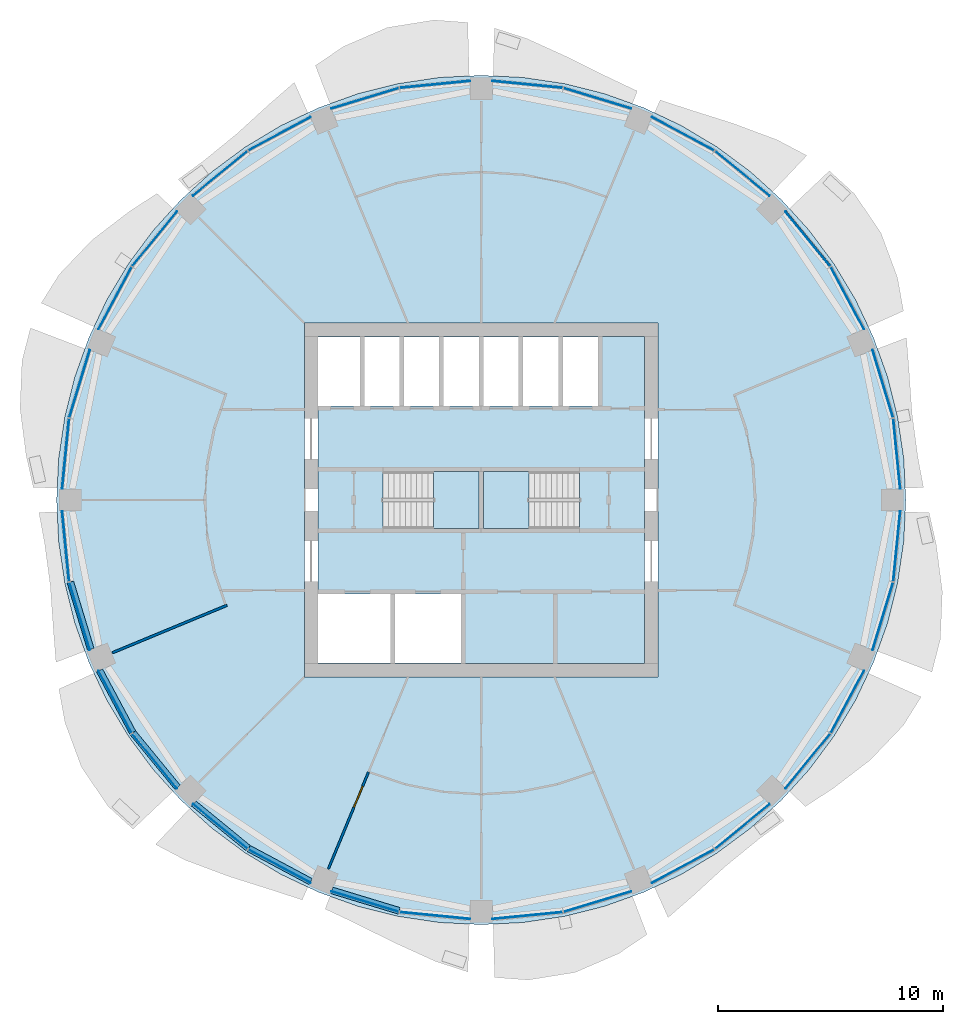
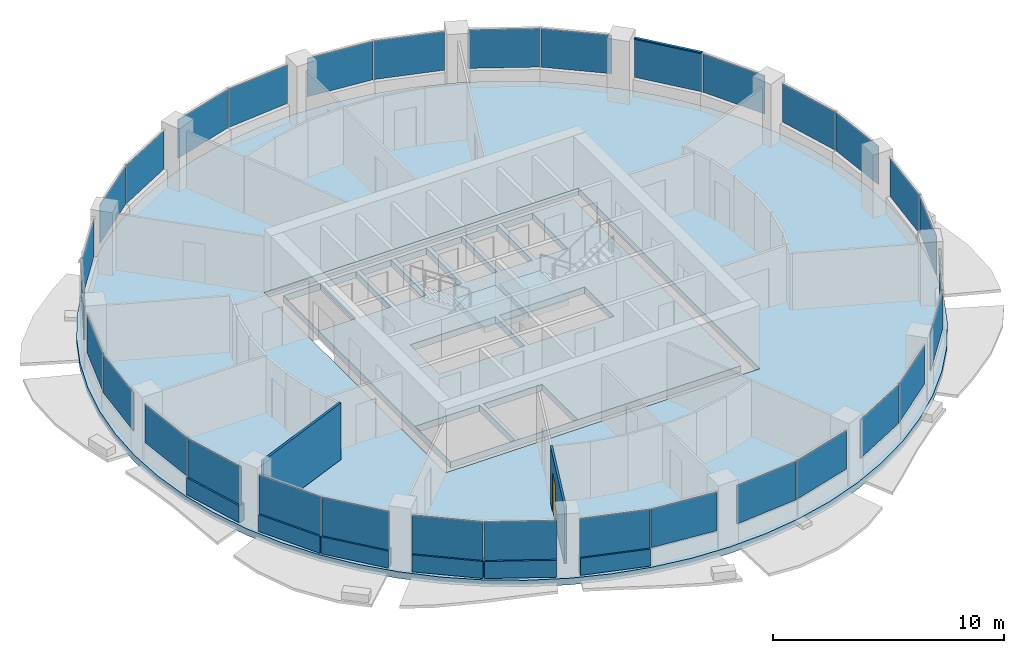
# One storey, part 7 of 14: 32 plates, 8 walls, 4 slabs, 1 door, 1 member, 1 opening, 18 elements without a shape of their own.
"""IFC4 building model written with IfcOpenShell, lengths in metres."""

from ifc_helpers import new_model, si_unit, direction, frame, frame_2d, origin, origin_2d, place, context, subcontext, project, spatial, polyline, rectangle, outline, extrude, material, layer, layer_set, material_profile, profile_set, type_object, element, fill, aggregate, save


model = new_model("IFC4")

# Units and contexts
model_context = context("Model", 3, precision=1e-05, world=origin(), true_north=direction((0.0, 1.0)))
body_context = subcontext(model_context, "Body", "Model", "MODEL_VIEW")
ifc_project = project(units=[si_unit("LENGTHUNIT", "METRE"), si_unit("AREAUNIT", "SQUARE_METRE"), si_unit("VOLUMEUNIT", "CUBIC_METRE"), si_unit("PLANEANGLEUNIT", "RADIAN"), si_unit("MASSUNIT", "GRAM", prefix="KILO")], contexts=[model_context])

# Site, building, storey
site_placement = place(None, origin())
site = spatial("IfcSite", under=ifc_project, at=site_placement, CompositionType="ELEMENT")
building_placement = place(site_placement, origin())
building = spatial("IfcBuilding", under=site, at=building_placement, Name="Polderwave Tower", CompositionType="ELEMENT")
storey_placement = place(building_placement, frame((0.0, 0.0, 147.75)))
storey = spatial("IfcBuildingStorey", under=building, at=storey_placement, Name="L39", CompositionType="ELEMENT", Elevation=147.75)

# Curtain wall, member
ifc_material_1 = material(Name="Aluminium 6063-T6 and glass", Category="aluminium")
curtain_wall_type = type_object("IfcCurtainWallType", Name="Office ribbon glazing wall", PredefinedType="NOTDEFINED", material=ifc_material_1)
curtain_wall_1_placement = place(storey_placement, origin())
curtain_wall_1 = element("IfcCurtainWall", 1, at=curtain_wall_1_placement, inside=storey, type_object=curtain_wall_type, Name="CW3 L39 01", PredefinedType="NOTDEFINED")
ifc_material_2 = material(Name="Aluminium 6063-T6", Category="aluminium")
ifc_material_profile = material_profile(ifc_material_2, rectangle(XDim=0.1201171875, YDim=0.06005859375, at=origin_2d()), Name="AL 60x120")
ifc_profile_set = profile_set([ifc_material_profile], Name="Aluminium 6063-T6")
member_type = type_object("IfcMemberType", Name="Office ribbon glazing transom 60x120", PredefinedType="USERDEFINED", material=ifc_profile_set)
member_placement = place(storey_placement, frame((15.530517578125, 10.410400390625, 2.969970703125), z_axis=(-0.634153141657, 0.773207470816, 0.0), x_axis=(-0.773207470816, -0.634153141657, 0.0)))
member = element("IfcMember", 2, at=member_placement, type_object=member_type, Name="CW3 transom 2", ObjectType="TRANSOM", PredefinedType="USERDEFINED", context=body_context, shape_type="SweptSolid", body=[
    extrude(rectangle(XDim=0.1201171875, YDim=0.06005859375, at=origin_2d()), origin(), (0.0, 0.0, 1.0), 3.1357421875),
])

# Slab
ifc_material_3 = material(Name="Concrete C40/50", Category="concrete")
ifc_layer_1 = layer(ifc_material_3, 0.35009765625)
ifc_layer_set_1 = layer_set([ifc_layer_1], Name="Core floor slab 350")
slab_type_1 = type_object("IfcSlabType", Name="Core floor slab 350", PredefinedType="FLOOR", material=ifc_layer_set_1)
slab_1_placement = place(storey_placement, frame((0.0, 0.0, -0.35009765625)))
element("IfcSlab", 3, at=slab_1_placement, inside=storey, type_object=slab_type_1, Name="L39 core floor", PredefinedType="FLOOR", context=body_context, shape_type="SweptSolid", body=[
    extrude(outline(polyline([(-7.27392578125, -7.27392578125), (7.27392578125, -7.27392578125), (7.27392578125, 7.27392578125), (-7.27392578125, 7.27392578125), (-7.27392578125, -7.27392578125)]), holes=[polyline([(-7.25390625, -7.25390625), (-4.037109375, -7.25390625), (-4.037109375, -4.174072265625), (-7.25390625, -4.174072265625), (-7.25390625, -7.25390625)]), polyline([(-3.8369140625, -7.25390625), (-0.89990234375, -7.25390625), (-0.89990234375, -4.174072265625), (-3.8369140625, -4.174072265625), (-3.8369140625, -7.25390625)]), polyline([(-7.25390625, 4.174072265625), (-5.405517578125, 4.174072265625), (-5.405517578125, 7.25390625), (-7.25390625, 7.25390625), (-7.25390625, 4.174072265625)]), polyline([(-5.20556640625, 4.174072265625), (-3.636962890625, 4.174072265625), (-3.636962890625, 7.25390625), (-5.20556640625, 7.25390625), (-5.20556640625, 4.174072265625)]), polyline([(-3.43701171875, 4.174072265625), (-1.868408203125, 4.174072265625), (-1.868408203125, 7.25390625), (-3.43701171875, 7.25390625), (-3.43701171875, 4.174072265625)]), polyline([(-1.66845703125, 4.174072265625), (-0.10009765625, 4.174072265625), (-0.10009765625, 7.25390625), (-1.66845703125, 7.25390625), (-1.66845703125, 4.174072265625)]), polyline([(0.10009765625, 4.174072265625), (1.66845703125, 4.174072265625), (1.66845703125, 7.25390625), (0.10009765625, 7.25390625), (0.10009765625, 4.174072265625)]), polyline([(1.868408203125, 4.174072265625), (3.43701171875, 4.174072265625), (3.43701171875, 7.25390625), (1.868408203125, 7.25390625), (1.868408203125, 4.174072265625)]), polyline([(3.636962890625, 4.174072265625), (5.20556640625, 4.174072265625), (5.20556640625, 7.25390625), (3.636962890625, 7.25390625), (3.636962890625, 4.174072265625)]), polyline([(-4.37353515625, -1.2744140625), (-0.1005859375, -1.2744140625), (-0.1005859375, 1.2744140625), (-4.37353515625, 1.2744140625), (-4.37353515625, -1.2744140625)]), polyline([(0.1005859375, -1.2744140625), (4.37353515625, -1.2744140625), (4.37353515625, 1.2744140625), (0.1005859375, 1.2744140625), (0.1005859375, -1.2744140625)])]), origin(), (0.0, 0.0, 1.0), 0.35009765625),
])

# Curtain wall, plates
curtain_wall_2_placement = place(storey_placement, origin())
curtain_wall_2 = element("IfcCurtainWall", 4, at=curtain_wall_2_placement, inside=storey, type_object=curtain_wall_type, Name="CW3 L39 00", PredefinedType="NOTDEFINED")
ifc_material_4 = material(Name="Glass, low-e laminated double glazing", Category="glass")
ifc_layer_2 = layer(ifc_material_4, 0.031982421875)
ifc_layer_set_2 = layer_set([ifc_layer_2], Name="Office ribbon glazing glass panel 32 mm")
plate_type = type_object("IfcPlateType", Name="Office ribbon glazing glass panel 32 mm", PredefinedType="CURTAIN_PANEL", material=ifc_layer_set_2)
plate_1_placement = place(storey_placement, frame((18.497314453125, 2.060302734375, 0.89990234375), z_axis=(0.0, 0.0, 1.0), x_axis=(-0.098001507992, 0.995186266199, 0.0)))
plate_1 = element("IfcPlate", 5, at=plate_1_placement, type_object=plate_type, Name="CW3 panel 1", PredefinedType="CURTAIN_PANEL", context=body_context, shape_type="SweptSolid", body=[
    extrude(rectangle(XDim=3.1357421875, YDim=0.031982421875, at=origin_2d()), origin(), (0.0, 0.0, 1.0), 2.0400390625),
])
plate_2_placement = place(storey_placement, frame((17.87744140625, 5.1748046875, 0.89990234375), z_axis=(0.0, 0.0, 1.0), x_axis=(-0.290506802834, 0.95687292652, 0.0)))
plate_2 = element("IfcPlate", 6, at=plate_2_placement, type_object=plate_type, Name="CW3 panel 2", PredefinedType="CURTAIN_PANEL", context=body_context, shape_type="SweptSolid", body=[
    extrude(rectangle(XDim=3.135986328125, YDim=0.031982421875, at=origin_2d()), origin(), (0.0, 0.0, 1.0), 2.0400390625),
])
aggregate(curtain_wall_2, [plate_1, plate_2])

# Plate
plate_3_placement = place(storey_placement, frame((16.300537109375, 8.98193359375, 0.89990234375), z_axis=(0.0, 0.0, 1.0), x_axis=(-0.471572201194, 0.881827454246, 0.0)))
plate_3 = element("IfcPlate", 7, at=plate_3_placement, type_object=plate_type, Name="CW3 panel 1", PredefinedType="CURTAIN_PANEL", context=body_context, shape_type="SweptSolid", body=[
    extrude(rectangle(XDim=3.136474609375, YDim=0.031982421875, at=origin_2d()), origin(), (0.0, 0.0, 1.0), 2.0400390625),
])

plate_4_placement = place(storey_placement, frame((14.536376953125, 11.62255859375, 0.89990234375), z_axis=(0.0, 0.0, 1.0), x_axis=(-0.63413286073, 0.773224103958, 0.0)))
plate_4 = element("IfcPlate", 8, at=plate_4_placement, type_object=plate_type, Name="CW3 panel 2", PredefinedType="CURTAIN_PANEL", context=body_context, shape_type="SweptSolid", body=[
    extrude(rectangle(XDim=3.135986328125, YDim=0.031982421875, at=origin_2d()), origin(), (0.0, 0.0, 1.0), 2.0400390625),
])

aggregate(curtain_wall_1, [member, plate_3, plate_4])

# Curtain wall, plates
curtain_wall_3_placement = place(storey_placement, origin())
curtain_wall_3 = element("IfcCurtainWall", 9, at=curtain_wall_3_placement, inside=storey, type_object=curtain_wall_type, Name="CW3 L39 02", PredefinedType="NOTDEFINED")
plate_5_placement = place(storey_placement, frame((11.62255859375, 14.536376953125, 0.89990234375), z_axis=(0.0, 0.0, 1.0), x_axis=(-0.773224103958, 0.63413286073, 0.0)))
plate_5 = element("IfcPlate", 10, at=plate_5_placement, type_object=plate_type, Name="CW3 panel 1", PredefinedType="CURTAIN_PANEL", context=body_context, shape_type="SweptSolid", body=[
    extrude(rectangle(XDim=3.135986328125, YDim=0.031982421875, at=origin_2d()), origin(), (0.0, 0.0, 1.0), 2.0400390625),
])
plate_6_placement = place(storey_placement, frame((8.98193359375, 16.300537109375, 0.89990234375), z_axis=(0.0, 0.0, 1.0), x_axis=(-0.881827454246, 0.471572201194, 0.0)))
plate_6 = element("IfcPlate", 11, at=plate_6_placement, type_object=plate_type, Name="CW3 panel 2", PredefinedType="CURTAIN_PANEL", context=body_context, shape_type="SweptSolid", body=[
    extrude(rectangle(XDim=3.136474609375, YDim=0.031982421875, at=origin_2d()), origin(), (0.0, 0.0, 1.0), 2.0400390625),
])
aggregate(curtain_wall_3, [plate_5, plate_6])

curtain_wall_4_placement = place(storey_placement, origin())
curtain_wall_4 = element("IfcCurtainWall", 12, at=curtain_wall_4_placement, inside=storey, type_object=curtain_wall_type, Name="CW3 L39 03", PredefinedType="NOTDEFINED")
plate_7_placement = place(storey_placement, frame((5.1748046875, 17.87744140625, 0.89990234375), z_axis=(0.0, 0.0, 1.0), x_axis=(-0.95687292652, 0.290506802834, 0.0)))
plate_7 = element("IfcPlate", 13, at=plate_7_placement, type_object=plate_type, Name="CW3 panel 1", PredefinedType="CURTAIN_PANEL", context=body_context, shape_type="SweptSolid", body=[
    extrude(rectangle(XDim=3.135986328125, YDim=0.031982421875, at=origin_2d()), origin(), (0.0, 0.0, 1.0), 2.0400390625),
])
plate_8_placement = place(storey_placement, frame((2.060302734375, 18.497314453125, 0.89990234375), z_axis=(0.0, 0.0, 1.0), x_axis=(-0.995186266199, 0.098001507992, 0.0)))
plate_8 = element("IfcPlate", 14, at=plate_8_placement, type_object=plate_type, Name="CW3 panel 2", PredefinedType="CURTAIN_PANEL", context=body_context, shape_type="SweptSolid", body=[
    extrude(rectangle(XDim=3.1357421875, YDim=0.031982421875, at=origin_2d()), origin(), (0.0, 0.0, 1.0), 2.0400390625),
])
aggregate(curtain_wall_4, [plate_7, plate_8])

curtain_wall_5_placement = place(storey_placement, origin())
curtain_wall_5 = element("IfcCurtainWall", 15, at=curtain_wall_5_placement, inside=storey, type_object=curtain_wall_type, Name="CW3 L39 04", PredefinedType="NOTDEFINED")
plate_9_placement = place(storey_placement, frame((-2.060302734375, 18.497314453125, 0.89990234375), z_axis=(0.0, 0.0, 1.0), x_axis=(-0.995186266199, -0.098001507992, 0.0)))
plate_9 = element("IfcPlate", 16, at=plate_9_placement, type_object=plate_type, Name="CW3 panel 1", PredefinedType="CURTAIN_PANEL", context=body_context, shape_type="SweptSolid", body=[
    extrude(rectangle(XDim=3.1357421875, YDim=0.031982421875, at=origin_2d()), origin(), (0.0, 0.0, 1.0), 2.0400390625),
])
plate_10_placement = place(storey_placement, frame((-5.1748046875, 17.87744140625, 0.89990234375), z_axis=(0.0, 0.0, 1.0), x_axis=(-0.95687292652, -0.290506802834, 0.0)))
plate_10 = element("IfcPlate", 17, at=plate_10_placement, type_object=plate_type, Name="CW3 panel 2", PredefinedType="CURTAIN_PANEL", context=body_context, shape_type="SweptSolid", body=[
    extrude(rectangle(XDim=3.135986328125, YDim=0.031982421875, at=origin_2d()), origin(), (0.0, 0.0, 1.0), 2.0400390625),
])
aggregate(curtain_wall_5, [plate_9, plate_10])

curtain_wall_6_placement = place(storey_placement, origin())
curtain_wall_6 = element("IfcCurtainWall", 18, at=curtain_wall_6_placement, inside=storey, type_object=curtain_wall_type, Name="CW3 L39 05", PredefinedType="NOTDEFINED")
plate_11_placement = place(storey_placement, frame((-8.98193359375, 16.300537109375, 0.89990234375), z_axis=(0.0, 0.0, 1.0), x_axis=(-0.881827454246, -0.471572201194, 0.0)))
plate_11 = element("IfcPlate", 19, at=plate_11_placement, type_object=plate_type, Name="CW3 panel 1", PredefinedType="CURTAIN_PANEL", context=body_context, shape_type="SweptSolid", body=[
    extrude(rectangle(XDim=3.136474609375, YDim=0.031982421875, at=origin_2d()), origin(), (0.0, 0.0, 1.0), 2.0400390625),
])
plate_12_placement = place(storey_placement, frame((-11.62255859375, 14.536376953125, 0.89990234375), z_axis=(0.0, 0.0, 1.0), x_axis=(-0.773224103958, -0.63413286073, 0.0)))
plate_12 = element("IfcPlate", 20, at=plate_12_placement, type_object=plate_type, Name="CW3 panel 2", PredefinedType="CURTAIN_PANEL", context=body_context, shape_type="SweptSolid", body=[
    extrude(rectangle(XDim=3.135986328125, YDim=0.031982421875, at=origin_2d()), origin(), (0.0, 0.0, 1.0), 2.0400390625),
])
aggregate(curtain_wall_6, [plate_11, plate_12])

curtain_wall_7_placement = place(storey_placement, origin())
curtain_wall_7 = element("IfcCurtainWall", 21, at=curtain_wall_7_placement, inside=storey, type_object=curtain_wall_type, Name="CW3 L39 06", PredefinedType="NOTDEFINED")
plate_13_placement = place(storey_placement, frame((-14.536376953125, 11.62255859375, 0.89990234375), z_axis=(0.0, 0.0, 1.0), x_axis=(-0.63413286073, -0.773224103958, 0.0)))
plate_13 = element("IfcPlate", 22, at=plate_13_placement, type_object=plate_type, Name="CW3 panel 1", PredefinedType="CURTAIN_PANEL", context=body_context, shape_type="SweptSolid", body=[
    extrude(rectangle(XDim=3.135986328125, YDim=0.031982421875, at=origin_2d()), origin(), (0.0, 0.0, 1.0), 2.0400390625),
])
plate_14_placement = place(storey_placement, frame((-16.300537109375, 8.98193359375, 0.89990234375), z_axis=(0.0, 0.0, 1.0), x_axis=(-0.471572201194, -0.881827454246, 0.0)))
plate_14 = element("IfcPlate", 23, at=plate_14_placement, type_object=plate_type, Name="CW3 panel 2", PredefinedType="CURTAIN_PANEL", context=body_context, shape_type="SweptSolid", body=[
    extrude(rectangle(XDim=3.136474609375, YDim=0.031982421875, at=origin_2d()), origin(), (0.0, 0.0, 1.0), 2.0400390625),
])
aggregate(curtain_wall_7, [plate_13, plate_14])

curtain_wall_8_placement = place(storey_placement, origin())
curtain_wall_8 = element("IfcCurtainWall", 24, at=curtain_wall_8_placement, inside=storey, type_object=curtain_wall_type, Name="CW3 L39 07", PredefinedType="NOTDEFINED")
plate_15_placement = place(storey_placement, frame((-17.87744140625, 5.1748046875, 0.89990234375), z_axis=(0.0, 0.0, 1.0), x_axis=(-0.290506802834, -0.95687292652, 0.0)))
plate_15 = element("IfcPlate", 25, at=plate_15_placement, type_object=plate_type, Name="CW3 panel 1", PredefinedType="CURTAIN_PANEL", context=body_context, shape_type="SweptSolid", body=[
    extrude(rectangle(XDim=3.135986328125, YDim=0.031982421875, at=origin_2d()), origin(), (0.0, 0.0, 1.0), 2.0400390625),
])
plate_16_placement = place(storey_placement, frame((-18.497314453125, 2.060302734375, 0.89990234375), z_axis=(0.0, 0.0, 1.0), x_axis=(-0.098001507992, -0.995186266199, 0.0)))
plate_16 = element("IfcPlate", 26, at=plate_16_placement, type_object=plate_type, Name="CW3 panel 2", PredefinedType="CURTAIN_PANEL", context=body_context, shape_type="SweptSolid", body=[
    extrude(rectangle(XDim=3.1357421875, YDim=0.031982421875, at=origin_2d()), origin(), (0.0, 0.0, 1.0), 2.0400390625),
])
aggregate(curtain_wall_8, [plate_15, plate_16])

curtain_wall_9_placement = place(storey_placement, origin())
curtain_wall_9 = element("IfcCurtainWall", 27, at=curtain_wall_9_placement, inside=storey, type_object=curtain_wall_type, Name="CW3 L39 08", PredefinedType="NOTDEFINED")
plate_17_placement = place(storey_placement, frame((-18.497314453125, -2.060302734375, 0.89990234375), z_axis=(0.0, 0.0, 1.0), x_axis=(0.098001507992, -0.995186266199, 0.0)))
plate_17 = element("IfcPlate", 28, at=plate_17_placement, type_object=plate_type, Name="CW3 panel 1", PredefinedType="CURTAIN_PANEL", context=body_context, shape_type="SweptSolid", body=[
    extrude(rectangle(XDim=3.1357421875, YDim=0.031982421875, at=origin_2d()), origin(), (0.0, 0.0, 1.0), 2.0400390625),
])
plate_18_placement = place(storey_placement, frame((-17.87744140625, -5.1748046875, 0.89990234375), z_axis=(0.0, 0.0, 1.0), x_axis=(0.290506802834, -0.95687292652, 0.0)))
plate_18 = element("IfcPlate", 29, at=plate_18_placement, type_object=plate_type, Name="CW3 panel 2", PredefinedType="CURTAIN_PANEL", context=body_context, shape_type="SweptSolid", body=[
    extrude(rectangle(XDim=3.135986328125, YDim=0.031982421875, at=origin_2d()), origin(), (0.0, 0.0, 1.0), 2.0400390625),
])
aggregate(curtain_wall_9, [plate_17, plate_18])

curtain_wall_10_placement = place(storey_placement, origin())
curtain_wall_10 = element("IfcCurtainWall", 30, at=curtain_wall_10_placement, inside=storey, type_object=curtain_wall_type, Name="CW3 L39 09", PredefinedType="NOTDEFINED")
plate_19_placement = place(storey_placement, frame((-16.300537109375, -8.98193359375, 0.89990234375), z_axis=(0.0, 0.0, 1.0), x_axis=(0.471572201194, -0.881827454246, 0.0)))
plate_19 = element("IfcPlate", 31, at=plate_19_placement, type_object=plate_type, Name="CW3 panel 1", PredefinedType="CURTAIN_PANEL", context=body_context, shape_type="SweptSolid", body=[
    extrude(rectangle(XDim=3.136474609375, YDim=0.031982421875, at=origin_2d()), origin(), (0.0, 0.0, 1.0), 2.0400390625),
])
plate_20_placement = place(storey_placement, frame((-14.536376953125, -11.62255859375, 0.89990234375), z_axis=(0.0, 0.0, 1.0), x_axis=(0.63413286073, -0.773224103958, 0.0)))
plate_20 = element("IfcPlate", 32, at=plate_20_placement, type_object=plate_type, Name="CW3 panel 2", PredefinedType="CURTAIN_PANEL", context=body_context, shape_type="SweptSolid", body=[
    extrude(rectangle(XDim=3.135986328125, YDim=0.031982421875, at=origin_2d()), origin(), (0.0, 0.0, 1.0), 2.0400390625),
])
aggregate(curtain_wall_10, [plate_19, plate_20])

curtain_wall_11_placement = place(storey_placement, origin())
curtain_wall_11 = element("IfcCurtainWall", 33, at=curtain_wall_11_placement, inside=storey, type_object=curtain_wall_type, Name="CW3 L39 10", PredefinedType="NOTDEFINED")
plate_21_placement = place(storey_placement, frame((-11.62255859375, -14.536376953125, 0.89990234375), z_axis=(0.0, 0.0, 1.0), x_axis=(0.773224103958, -0.63413286073, 0.0)))
plate_21 = element("IfcPlate", 34, at=plate_21_placement, type_object=plate_type, Name="CW3 panel 1", PredefinedType="CURTAIN_PANEL", context=body_context, shape_type="SweptSolid", body=[
    extrude(rectangle(XDim=3.135986328125, YDim=0.031982421875, at=origin_2d()), origin(), (0.0, 0.0, 1.0), 2.0400390625),
])
plate_22_placement = place(storey_placement, frame((-8.98193359375, -16.300537109375, 0.89990234375), z_axis=(0.0, 0.0, 1.0), x_axis=(0.881827454246, -0.471572201194, 0.0)))
plate_22 = element("IfcPlate", 35, at=plate_22_placement, type_object=plate_type, Name="CW3 panel 2", PredefinedType="CURTAIN_PANEL", context=body_context, shape_type="SweptSolid", body=[
    extrude(rectangle(XDim=3.136474609375, YDim=0.031982421875, at=origin_2d()), origin(), (0.0, 0.0, 1.0), 2.0400390625),
])
aggregate(curtain_wall_11, [plate_21, plate_22])

curtain_wall_12_placement = place(storey_placement, origin())
curtain_wall_12 = element("IfcCurtainWall", 36, at=curtain_wall_12_placement, inside=storey, type_object=curtain_wall_type, Name="CW3 L39 11", PredefinedType="NOTDEFINED")
plate_23_placement = place(storey_placement, frame((-5.1748046875, -17.87744140625, 0.89990234375), z_axis=(0.0, 0.0, 1.0), x_axis=(0.95687292652, -0.290506802834, 0.0)))
plate_23 = element("IfcPlate", 37, at=plate_23_placement, type_object=plate_type, Name="CW3 panel 1", PredefinedType="CURTAIN_PANEL", context=body_context, shape_type="SweptSolid", body=[
    extrude(rectangle(XDim=3.135986328125, YDim=0.031982421875, at=origin_2d()), origin(), (0.0, 0.0, 1.0), 2.0400390625),
])
plate_24_placement = place(storey_placement, frame((-2.060302734375, -18.497314453125, 0.89990234375), z_axis=(0.0, 0.0, 1.0), x_axis=(0.995186266199, -0.098001507992, 0.0)))
plate_24 = element("IfcPlate", 38, at=plate_24_placement, type_object=plate_type, Name="CW3 panel 2", PredefinedType="CURTAIN_PANEL", context=body_context, shape_type="SweptSolid", body=[
    extrude(rectangle(XDim=3.1357421875, YDim=0.031982421875, at=origin_2d()), origin(), (0.0, 0.0, 1.0), 2.0400390625),
])
aggregate(curtain_wall_12, [plate_23, plate_24])

curtain_wall_13_placement = place(storey_placement, origin())
curtain_wall_13 = element("IfcCurtainWall", 39, at=curtain_wall_13_placement, inside=storey, type_object=curtain_wall_type, Name="CW3 L39 12", PredefinedType="NOTDEFINED")
plate_25_placement = place(storey_placement, frame((2.060302734375, -18.497314453125, 0.89990234375), z_axis=(0.0, 0.0, 1.0), x_axis=(0.995186266199, 0.098001507992, 0.0)))
plate_25 = element("IfcPlate", 40, at=plate_25_placement, type_object=plate_type, Name="CW3 panel 1", PredefinedType="CURTAIN_PANEL", context=body_context, shape_type="SweptSolid", body=[
    extrude(rectangle(XDim=3.1357421875, YDim=0.031982421875, at=origin_2d()), origin(), (0.0, 0.0, 1.0), 2.0400390625),
])
plate_26_placement = place(storey_placement, frame((5.1748046875, -17.87744140625, 0.89990234375), z_axis=(0.0, 0.0, 1.0), x_axis=(0.95687292652, 0.290506802834, 0.0)))
plate_26 = element("IfcPlate", 41, at=plate_26_placement, type_object=plate_type, Name="CW3 panel 2", PredefinedType="CURTAIN_PANEL", context=body_context, shape_type="SweptSolid", body=[
    extrude(rectangle(XDim=3.135986328125, YDim=0.031982421875, at=origin_2d()), origin(), (0.0, 0.0, 1.0), 2.0400390625),
])
aggregate(curtain_wall_13, [plate_25, plate_26])

curtain_wall_14_placement = place(storey_placement, origin())
curtain_wall_14 = element("IfcCurtainWall", 42, at=curtain_wall_14_placement, inside=storey, type_object=curtain_wall_type, Name="CW3 L39 13", PredefinedType="NOTDEFINED")
plate_27_placement = place(storey_placement, frame((8.98193359375, -16.300537109375, 0.89990234375), z_axis=(0.0, 0.0, 1.0), x_axis=(0.881827454246, 0.471572201194, 0.0)))
plate_27 = element("IfcPlate", 43, at=plate_27_placement, type_object=plate_type, Name="CW3 panel 1", PredefinedType="CURTAIN_PANEL", context=body_context, shape_type="SweptSolid", body=[
    extrude(rectangle(XDim=3.136474609375, YDim=0.031982421875, at=origin_2d()), origin(), (0.0, 0.0, 1.0), 2.0400390625),
])
plate_28_placement = place(storey_placement, frame((11.62255859375, -14.536376953125, 0.89990234375), z_axis=(0.0, 0.0, 1.0), x_axis=(0.773224103958, 0.63413286073, 0.0)))
plate_28 = element("IfcPlate", 44, at=plate_28_placement, type_object=plate_type, Name="CW3 panel 2", PredefinedType="CURTAIN_PANEL", context=body_context, shape_type="SweptSolid", body=[
    extrude(rectangle(XDim=3.135986328125, YDim=0.031982421875, at=origin_2d()), origin(), (0.0, 0.0, 1.0), 2.0400390625),
])
aggregate(curtain_wall_14, [plate_27, plate_28])

curtain_wall_15_placement = place(storey_placement, origin())
curtain_wall_15 = element("IfcCurtainWall", 45, at=curtain_wall_15_placement, inside=storey, type_object=curtain_wall_type, Name="CW3 L39 14", PredefinedType="NOTDEFINED")
plate_29_placement = place(storey_placement, frame((14.536376953125, -11.62255859375, 0.89990234375), z_axis=(0.0, 0.0, 1.0), x_axis=(0.63413286073, 0.773224103958, 0.0)))
plate_29 = element("IfcPlate", 46, at=plate_29_placement, type_object=plate_type, Name="CW3 panel 1", PredefinedType="CURTAIN_PANEL", context=body_context, shape_type="SweptSolid", body=[
    extrude(rectangle(XDim=3.135986328125, YDim=0.031982421875, at=origin_2d()), origin(), (0.0, 0.0, 1.0), 2.0400390625),
])
plate_30_placement = place(storey_placement, frame((16.300537109375, -8.98193359375, 0.89990234375), z_axis=(0.0, 0.0, 1.0), x_axis=(0.471572201194, 0.881827454246, 0.0)))
plate_30 = element("IfcPlate", 47, at=plate_30_placement, type_object=plate_type, Name="CW3 panel 2", PredefinedType="CURTAIN_PANEL", context=body_context, shape_type="SweptSolid", body=[
    extrude(rectangle(XDim=3.136474609375, YDim=0.031982421875, at=origin_2d()), origin(), (0.0, 0.0, 1.0), 2.0400390625),
])
aggregate(curtain_wall_15, [plate_29, plate_30])

curtain_wall_16_placement = place(storey_placement, origin())
curtain_wall_16 = element("IfcCurtainWall", 48, at=curtain_wall_16_placement, inside=storey, type_object=curtain_wall_type, Name="CW3 L39 15", PredefinedType="NOTDEFINED")
plate_31_placement = place(storey_placement, frame((17.87744140625, -5.1748046875, 0.89990234375), z_axis=(0.0, 0.0, 1.0), x_axis=(0.290506802834, 0.95687292652, 0.0)))
plate_31 = element("IfcPlate", 49, at=plate_31_placement, type_object=plate_type, Name="CW3 panel 1", PredefinedType="CURTAIN_PANEL", context=body_context, shape_type="SweptSolid", body=[
    extrude(rectangle(XDim=3.135986328125, YDim=0.031982421875, at=origin_2d()), origin(), (0.0, 0.0, 1.0), 2.0400390625),
])
plate_32_placement = place(storey_placement, frame((18.497314453125, -2.060302734375, 0.89990234375), z_axis=(0.0, 0.0, 1.0), x_axis=(0.098001507992, 0.995186266199, 0.0)))
plate_32 = element("IfcPlate", 50, at=plate_32_placement, type_object=plate_type, Name="CW3 panel 2", PredefinedType="CURTAIN_PANEL", context=body_context, shape_type="SweptSolid", body=[
    extrude(rectangle(XDim=3.1357421875, YDim=0.031982421875, at=origin_2d()), origin(), (0.0, 0.0, 1.0), 2.0400390625),
])
aggregate(curtain_wall_16, [plate_31, plate_32])

# Slab
ifc_layer_3 = layer(ifc_material_3, 0.35009765625)
ifc_layer_set_3 = layer_set([ifc_layer_3], Name="PT FLOOR SLAB 350 C40/50")
slab_type_2 = type_object("IfcSlabType", Name="PT FLOOR SLAB 350 C40/50", PredefinedType="FLOOR", material=ifc_layer_set_3)
slab_2_placement = place(storey_placement, frame((0.0, 0.0, -0.35009765625)))
element("IfcSlab", 51, at=slab_2_placement, inside=storey, type_object=slab_type_2, Name="ST-SLAB-L39", PredefinedType="FLOOR", context=body_context, shape_type="SweptSolid", body=[
    extrude(outline(polyline([(18.89990234375, 0.0), (18.80908203125, 1.8525390625), (18.536865234375, 3.687255859375), (18.086181640625, 5.486328125), (17.461181640625, 7.232666015625), (16.668212890625, 8.909423828125), (15.71484375, 10.500244140625), (14.60986328125, 11.989990234375), (13.3642578125, 13.3642578125), (11.989990234375, 14.60986328125), (10.500244140625, 15.71484375), (8.909423828125, 16.668212890625), (7.232666015625, 17.461181640625), (5.486328125, 18.086181640625), (3.687255859375, 18.536865234375), (1.8525390625, 18.80908203125), (0.0, 18.89990234375), (-1.8525390625, 18.80908203125), (-3.687255859375, 18.536865234375), (-5.486328125, 18.086181640625), (-7.232666015625, 17.461181640625), (-8.909423828125, 16.668212890625), (-10.500244140625, 15.71484375), (-11.989990234375, 14.60986328125), (-13.3642578125, 13.3642578125), (-14.60986328125, 11.989990234375), (-15.71484375, 10.500244140625), (-16.668212890625, 8.909423828125), (-17.461181640625, 7.232666015625), (-18.086181640625, 5.486328125), (-18.536865234375, 3.687255859375), (-18.80908203125, 1.8525390625), (-18.89990234375, 0.0), (-18.80908203125, -1.8525390625), (-18.536865234375, -3.687255859375), (-18.086181640625, -5.486328125), (-17.461181640625, -7.232666015625), (-16.668212890625, -8.909423828125), (-15.71484375, -10.500244140625), (-14.60986328125, -11.989990234375), (-13.3642578125, -13.3642578125), (-11.989990234375, -14.60986328125), (-10.500244140625, -15.71484375), (-8.909423828125, -16.668212890625), (-7.232666015625, -17.461181640625), (-5.486328125, -18.086181640625), (-3.687255859375, -18.536865234375), (-1.8525390625, -18.80908203125), (0.0, -18.89990234375), (1.8525390625, -18.80908203125), (3.687255859375, -18.536865234375), (5.486328125, -18.086181640625), (7.232666015625, -17.461181640625), (8.909423828125, -16.668212890625), (10.500244140625, -15.71484375), (11.989990234375, -14.60986328125), (13.3642578125, -13.3642578125), (14.60986328125, -11.989990234375), (15.71484375, -10.500244140625), (16.668212890625, -8.909423828125), (17.461181640625, -7.232666015625), (18.086181640625, -5.486328125), (18.536865234375, -3.687255859375), (18.80908203125, -1.8525390625), (18.89990234375, 0.0)]), holes=[polyline([(-7.8740234375, -7.8740234375), (7.8740234375, -7.8740234375), (7.8740234375, 7.8740234375), (-7.8740234375, 7.8740234375), (-7.8740234375, -7.8740234375)])]), origin(), (0.0, 0.0, 1.0), 0.35009765625),
])

# Stair, slab
stair_type = type_object("IfcStairType", Name="Exit stair 1200 x 20 risers", PredefinedType="HALF_TURN_STAIR", material=ifc_material_3)
stair_1_placement = place(storey_placement, origin())
stair_1 = element("IfcStair", 52, at=stair_1_placement, inside=storey, type_object=stair_type, Name="L39 Exit stair A", PredefinedType="HALF_TURN_STAIR")
ifc_layer_4 = layer(ifc_material_3, 0.300048828125)
ifc_layer_set_4 = layer_set([ifc_layer_4], Name="Stair landing 300")
slab_type_3 = type_object("IfcSlabType", Name="Stair landing 300", PredefinedType="LANDING", material=ifc_layer_set_4)
slab_3_placement = place(storey_placement, frame((0.0, 0.0, 1.375)))
slab_3 = element("IfcSlab", 53, at=slab_3_placement, type_object=slab_type_3, Name="ST-A landing 1", PredefinedType="LANDING", context=body_context, shape_type="SweptSolid", body=[
    extrude(outline(polyline([(-2.1240234375, -1.27490234375), (-0.10009765625, -1.27490234375), (-0.10009765625, 1.27490234375), (-2.1240234375, 1.27490234375), (-2.1240234375, -1.27490234375)])), origin(), (0.0, 0.0, 1.0), 0.300048828125),
])
aggregate(stair_1, [slab_3])

stair_2_placement = place(storey_placement, origin())
stair_2 = element("IfcStair", 54, at=stair_2_placement, inside=storey, type_object=stair_type, Name="L39 Exit stair B", PredefinedType="HALF_TURN_STAIR")
slab_4_placement = place(storey_placement, frame((0.0, 0.0, 1.375)))
slab_4 = element("IfcSlab", 55, at=slab_4_placement, type_object=slab_type_3, Name="ST-B landing 1", PredefinedType="LANDING", context=body_context, shape_type="SweptSolid", body=[
    extrude(outline(polyline([(2.1240234375, 1.27490234375), (0.10009765625, 1.27490234375), (0.10009765625, -1.27490234375), (2.1240234375, -1.27490234375), (2.1240234375, 1.27490234375)])), origin(), (0.0, 0.0, 1.0), 0.300048828125),
])
aggregate(stair_2, [slab_4])

# Walls
ifc_material_5 = material(Name="Concrete C50/60 (board-marked)", Category="concrete")
ifc_layer_5 = layer(ifc_material_5, 0.300048828125)
ifc_layer_set_5 = layer_set([ifc_layer_5], Name="Concrete spandrel upstand C50/60")
wall_type_1 = type_object("IfcWallType", Name="Concrete spandrel upstand C50/60", PredefinedType="SOLIDWALL", material=ifc_layer_set_5)
for number, where, z_axis, x_axis, name in (
    (56, (-18.28759765625, -3.65234375, 0.0), (0.0, 0.0, 1.0), (0.290614442714, -0.95684024042, 0.0), "Spandrel L39 9b"),
    (57, (-16.98681640625, -7.59228515625, 0.0), (0.0, 0.0, 1.0), (0.471577373746, -0.881824688116, 0.0), "Spandrel L39 10a"),
    (58, (-15.49658203125, -10.37255859375, 0.0), (0.0, 0.0, 1.0), (0.633977746593, -0.773351289405, 0.0), "Spandrel L39 10b"),
    (59, (-12.789306640625, -13.515380859375, 0.0), (0.0, 0.0, 1.0), (0.773351289405, -0.633977746593, 0.0), "Spandrel L39 11a"),
    (60, (-10.347900390625, -15.51318359375, 0.0), (0.0, 0.0, 1.0), (0.881824688116, -0.471577373746, 0.0), "Spandrel L39 11b"),
    (61, (-6.642578125, -17.37939453125, 0.0), (0.0, 0.0, 1.0), (0.95684024042, -0.290614442714, 0.0), "Spandrel L39 12a"),
):
    element("IfcWall", number, at=place(storey_placement, frame(where, z_axis=z_axis, x_axis=x_axis)), inside=storey, type_object=wall_type_1, Name=name, PredefinedType="SOLIDWALL", context=body_context, shape_type="SweptSolid", body=[
        extrude(rectangle(XDim=3.125, YDim=0.300048828125, at=frame_2d((1.5625, 0.0))), origin(), (0.0, 0.0, 1.0), 0.89990234375),
    ])

# Wall, opening, door
ifc_material_6 = material(Name="Plasterboard on steel studs", Category="steel")
ifc_layer_6 = layer(ifc_material_6, 0.10009765625)
ifc_layer_set_6 = layer_set([ifc_layer_6], Name="Partition 100 mm plasterboard on steel studs")
wall_type_2 = type_object("IfcWallType", Name="Partition 100 mm plasterboard on steel studs", PredefinedType="PARTITIONING", material=ifc_layer_set_6)
wall_1_placement = place(storey_placement, frame((-5.01318359375, -12.102783203125, 0.0), z_axis=(0.0, 0.0, 1.0), x_axis=(-0.382684232268, -0.92387920118, 0.0)))
wall_1 = element("IfcWall", 62, at=wall_1_placement, inside=storey, type_object=wall_type_2, Name="IN-L39-W041", PredefinedType="PARTITIONING", context=body_context, shape_type="SweptSolid", body=[
    extrude(rectangle(XDim=4.669921875, YDim=0.10009765625, at=frame_2d((2.3349609375, 0.0))), origin(), (0.0, 0.0, 1.0), 3.0),
])
opening_placement = place(wall_1_placement, frame((0.699951171875, 0.0, 0.0)))
opening = element("IfcOpeningElement", 63, at=opening_placement, cuts=wall_1, Name="Opening L39-D64", PredefinedType="OPENING", context=body_context, shape_type="SweptSolid", body=[
    extrude(rectangle(XDim=1.0, YDim=2.10009765625, at=frame_2d((0.5, 1.050048828125))), frame((0.0, 0.06005859375, 0.0), z_axis=(0.0, -1.0, 0.0), x_axis=(1.0, 0.0, 0.0)), (0.0, 0.0, 1.0), 0.1201171875),
])
ifc_material_7 = material(Name="Timber veneer door leaf", Category="wood")
door_type = type_object("IfcDoorType", Name="Single door 1000 x 2100", OperationType="NOTDEFINED", PredefinedType="DOOR", material=ifc_material_7)
door_placement = place(opening_placement, origin())
door = element("IfcDoor", 64, at=door_placement, inside=storey, type_object=door_type, Name="Door L39-D64", OperationType="SINGLE_SWING_LEFT", OverallHeight=2.10009765625, OverallWidth=1.0, PredefinedType="DOOR", context=body_context, shape_type="SweptSolid", body=[
    extrude(rectangle(XDim=1.0, YDim=2.10009765625, at=frame_2d((0.5, 1.050048828125))), frame((0.0, 0.02490234375, 0.0), z_axis=(0.0, -1.0, 0.0), x_axis=(1.0, 0.0, 0.0)), (0.0, 0.0, 1.0), 0.050048828125),
])
fill(opening, door)

# Wall
ifc_material_8 = material(Name="Acoustic double plasterboard on steel studs", Category="steel")
ifc_layer_7 = layer(ifc_material_8, 0.110107421875)
ifc_layer_set_7 = layer_set([ifc_layer_7], Name="Partition 110 mm acoustic double board")
wall_type_3 = type_object("IfcWallType", Name="Partition 110 mm acoustic double board", PredefinedType="PARTITIONING", material=ifc_layer_set_7)
wall_2_placement = place(storey_placement, frame((-16.417236328125, -6.80029296875, 0.0), z_axis=(0.0, 0.0, 1.0), x_axis=(0.923878953637, 0.382684829889, 0.0)))
element("IfcWall", 65, at=wall_2_placement, inside=storey, type_object=wall_type_3, Name="IN-L39-W037", PredefinedType="PARTITIONING", context=body_context, shape_type="SweptSolid", body=[
    extrude(rectangle(XDim=5.52490234375, YDim=0.110107421875, at=frame_2d((2.762451171875, 0.0))), origin(), (0.0, 0.0, 1.0), 3.0),
])

save(model, "model.ifc")
